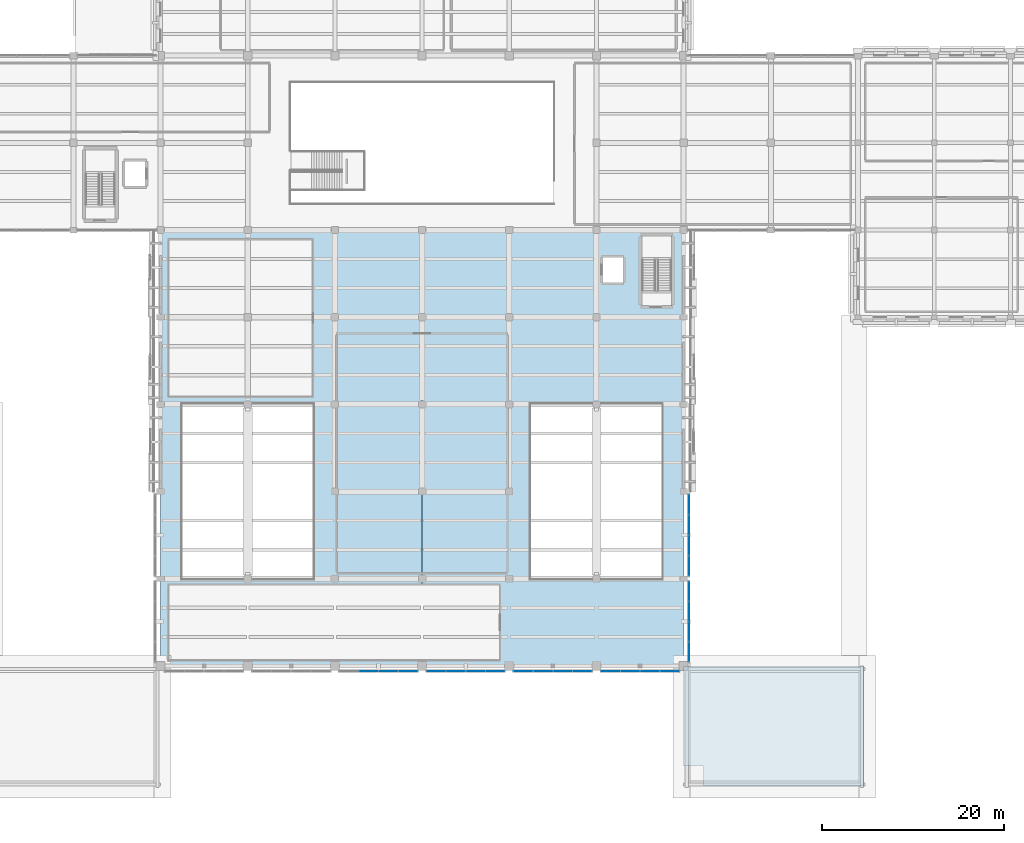
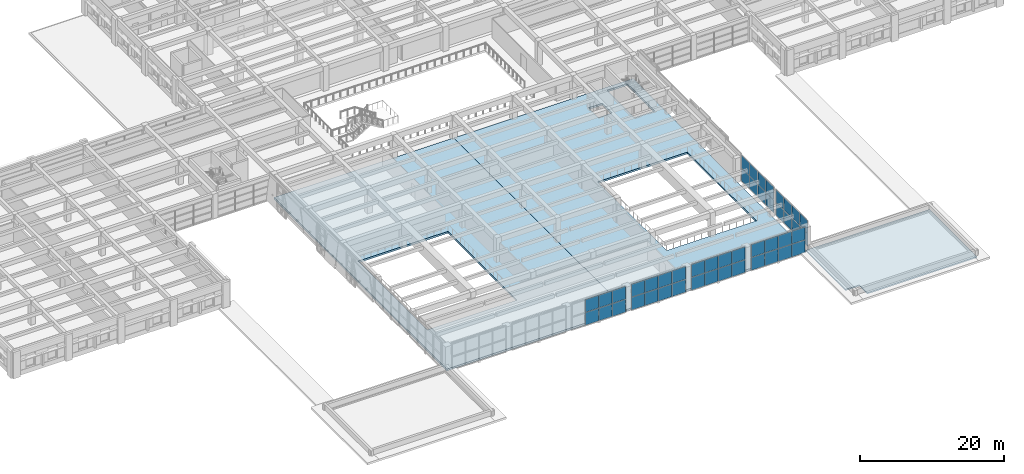
# One storey, part 26 of 49: 46 plates, 3 slabs, 6 elements without a shape of their own.
"""IFC4 building model written with IfcOpenShell, lengths in metres."""

from ifc_helpers import new_model, si_unit, direction, frame, origin, origin_2d, place, context, subcontext, project, spatial, polyline, rectangle, outline, extrude, material, layer, layer_set, type_object, element, aggregate, save


model = new_model("IFC4")

# Units and contexts
model_context = context("Model", 3, precision=1e-05, world=origin(), true_north=direction((0.0, 1.0)))
body_context = subcontext(model_context, "Body", "Model", "MODEL_VIEW")
ifc_project = project(units=[si_unit("LENGTHUNIT", "METRE"), si_unit("AREAUNIT", "SQUARE_METRE"), si_unit("VOLUMEUNIT", "CUBIC_METRE"), si_unit("PLANEANGLEUNIT", "RADIAN"), si_unit("MASSUNIT", "GRAM", prefix="KILO")], contexts=[model_context])

# Site, building, storey
site_placement = place(None, origin())
site = spatial("IfcSite", under=ifc_project, at=site_placement, CompositionType="ELEMENT")
building_placement = place(site_placement, origin())
building = spatial("IfcBuilding", under=site, at=building_placement, Name="Bempovik Park Faculty of Sciences", CompositionType="ELEMENT")
storey_placement = place(building_placement, frame((0.0, 0.0, 5.39990234375)))
storey = spatial("IfcBuildingStorey", under=building, at=storey_placement, Name="L01", CompositionType="ELEMENT", Elevation=5.39990234375)

# Curtain wall, plates
ifc_material_1 = material(Name="Tempered laminated low-E glass", Category="glass")
ifc_layer_1 = layer(ifc_material_1, 0.159912109375)
ifc_layer_set_1 = layer_set([ifc_layer_1], Name="Tempered laminated low-E glass")
curtain_wall_type = type_object("IfcCurtainWallType", Name="CW-48 Curtain 7200x4200", PredefinedType="USERDEFINED", material=ifc_layer_set_1)
curtain_wall_1_placement = place(storey_placement, origin())
curtain_wall_1 = element("IfcCurtainWall", 1, at=curtain_wall_1_placement, inside=storey, type_object=curtain_wall_type, Name="L01 Recessed Entrance Foyer Curtain Wall (19.8-29.4)", ObjectType="UNITISED CURTAIN WALL", PredefinedType="USERDEFINED")
ifc_layer_2 = layer(ifc_material_1, 0.0400390625)
ifc_layer_set_2 = layer_set([ifc_layer_2], Name="Tempered laminated low-E glass")
plate_type = type_object("IfcPlateType", Name="CP-15 Curtain Panel 40mm", PredefinedType="CURTAIN_PANEL", material=ifc_layer_set_2)
plate_1_placement = place(storey_placement, frame((118.179931640625, 21.368408203125, 0.1201171875), z_axis=(0.0, 0.0, 1.0), x_axis=(0.0, 1.0, 0.0)))
plate_1 = element("IfcPlate", 2, at=plate_1_placement, type_object=plate_type, Name="CW-FOY-L01-1176-198 Panel 0-0", PredefinedType="CURTAIN_PANEL", context=body_context, shape_type="SweptSolid", body=[
    extrude(rectangle(XDim=2.1328125, YDim=0.035888671875, at=origin_2d()), origin(), (0.0, 0.0, 1.0), 2.1298828125),
])
plate_2_placement = place(storey_placement, frame((118.179931640625, 21.368408203125, 2.330078125), z_axis=(0.0, 0.0, 1.0), x_axis=(0.0, 1.0, 0.0)))
plate_2 = element("IfcPlate", 3, at=plate_2_placement, type_object=plate_type, Name="CW-FOY-L01-1176-198 Panel 0-1", PredefinedType="CURTAIN_PANEL", context=body_context, shape_type="SweptSolid", body=[
    extrude(rectangle(XDim=2.1328125, YDim=0.035888671875, at=origin_2d()), origin(), (0.0, 0.0, 1.0), 2.1298828125),
])
plate_3_placement = place(storey_placement, frame((118.179931640625, 23.5810546875, 0.1201171875), z_axis=(0.0, 0.0, 1.0), x_axis=(0.0, 1.0, 0.0)))
plate_3 = element("IfcPlate", 4, at=plate_3_placement, type_object=plate_type, Name="CW-FOY-L01-1176-198 Panel 1-0", PredefinedType="CURTAIN_PANEL", context=body_context, shape_type="SweptSolid", body=[
    extrude(rectangle(XDim=2.1328125, YDim=0.035888671875, at=origin_2d()), origin(), (0.0, 0.0, 1.0), 2.1298828125),
])
plate_4_placement = place(storey_placement, frame((118.179931640625, 23.5810546875, 2.330078125), z_axis=(0.0, 0.0, 1.0), x_axis=(0.0, 1.0, 0.0)))
plate_4 = element("IfcPlate", 5, at=plate_4_placement, type_object=plate_type, Name="CW-FOY-L01-1176-198 Panel 1-1", PredefinedType="CURTAIN_PANEL", context=body_context, shape_type="SweptSolid", body=[
    extrude(rectangle(XDim=2.1328125, YDim=0.035888671875, at=origin_2d()), origin(), (0.0, 0.0, 1.0), 2.1298828125),
])
plate_5_placement = place(storey_placement, frame((118.179931640625, 25.7939453125, 0.1201171875), z_axis=(0.0, 0.0, 1.0), x_axis=(0.0, 1.0, 0.0)))
plate_5 = element("IfcPlate", 6, at=plate_5_placement, type_object=plate_type, Name="CW-FOY-L01-1176-198 Panel 2-0", PredefinedType="CURTAIN_PANEL", context=body_context, shape_type="SweptSolid", body=[
    extrude(rectangle(XDim=2.1328125, YDim=0.035888671875, at=origin_2d()), origin(), (0.0, 0.0, 1.0), 2.1298828125),
])
plate_6_placement = place(storey_placement, frame((118.179931640625, 25.7939453125, 2.330078125), z_axis=(0.0, 0.0, 1.0), x_axis=(0.0, 1.0, 0.0)))
plate_6 = element("IfcPlate", 7, at=plate_6_placement, type_object=plate_type, Name="CW-FOY-L01-1176-198 Panel 2-1", PredefinedType="CURTAIN_PANEL", context=body_context, shape_type="SweptSolid", body=[
    extrude(rectangle(XDim=2.1328125, YDim=0.035888671875, at=origin_2d()), origin(), (0.0, 0.0, 1.0), 2.1298828125),
])
plate_7_placement = place(storey_placement, frame((118.179931640625, 28.006591796875, 0.1201171875), z_axis=(0.0, 0.0, 1.0), x_axis=(0.0, 1.0, 0.0)))
plate_7 = element("IfcPlate", 8, at=plate_7_placement, type_object=plate_type, Name="CW-FOY-L01-1176-198 Panel 3-0", PredefinedType="CURTAIN_PANEL", context=body_context, shape_type="SweptSolid", body=[
    extrude(rectangle(XDim=2.1328125, YDim=0.035888671875, at=origin_2d()), origin(), (0.0, 0.0, 1.0), 2.1298828125),
])
plate_8_placement = place(storey_placement, frame((118.179931640625, 28.006591796875, 2.330078125), z_axis=(0.0, 0.0, 1.0), x_axis=(0.0, 1.0, 0.0)))
plate_8 = element("IfcPlate", 9, at=plate_8_placement, type_object=plate_type, Name="CW-FOY-L01-1176-198 Panel 3-1", PredefinedType="CURTAIN_PANEL", context=body_context, shape_type="SweptSolid", body=[
    extrude(rectangle(XDim=2.1328125, YDim=0.035888671875, at=origin_2d()), origin(), (0.0, 0.0, 1.0), 2.1298828125),
])
aggregate(curtain_wall_1, [plate_1, plate_2, plate_3, plate_4, plate_5, plate_6, plate_7, plate_8])

curtain_wall_2_placement = place(storey_placement, origin())
curtain_wall_2 = element("IfcCurtainWall", 10, at=curtain_wall_2_placement, inside=storey, type_object=curtain_wall_type, Name="L01 Recessed Entrance Foyer Curtain Wall (29.4-39.0)", ObjectType="UNITISED CURTAIN WALL", PredefinedType="USERDEFINED")
plate_9_placement = place(storey_placement, frame((118.179931640625, 30.815185546875, 0.1201171875), z_axis=(0.0, 0.0, 1.0), x_axis=(0.0, 1.0, 0.0)))
plate_9 = element("IfcPlate", 11, at=plate_9_placement, type_object=plate_type, Name="CW-FOY-L01-1176-294 Panel 0-0", PredefinedType="CURTAIN_PANEL", context=body_context, shape_type="SweptSolid", body=[
    extrude(rectangle(XDim=2.176513671875, YDim=0.035888671875, at=origin_2d()), origin(), (0.0, 0.0, 1.0), 2.1298828125),
])
plate_10_placement = place(storey_placement, frame((118.179931640625, 30.815185546875, 2.330078125), z_axis=(0.0, 0.0, 1.0), x_axis=(0.0, 1.0, 0.0)))
plate_10 = element("IfcPlate", 12, at=plate_10_placement, type_object=plate_type, Name="CW-FOY-L01-1176-294 Panel 0-1", PredefinedType="CURTAIN_PANEL", context=body_context, shape_type="SweptSolid", body=[
    extrude(rectangle(XDim=2.176513671875, YDim=0.035888671875, at=origin_2d()), origin(), (0.0, 0.0, 1.0), 2.1298828125),
])
plate_11_placement = place(storey_placement, frame((118.179931640625, 33.07177734375, 0.1201171875), z_axis=(0.0, 0.0, 1.0), x_axis=(0.0, 1.0, 0.0)))
plate_11 = element("IfcPlate", 13, at=plate_11_placement, type_object=plate_type, Name="CW-FOY-L01-1176-294 Panel 1-0", PredefinedType="CURTAIN_PANEL", context=body_context, shape_type="SweptSolid", body=[
    extrude(rectangle(XDim=2.176513671875, YDim=0.035888671875, at=origin_2d()), origin(), (0.0, 0.0, 1.0), 2.1298828125),
])
plate_12_placement = place(storey_placement, frame((118.179931640625, 33.07177734375, 2.330078125), z_axis=(0.0, 0.0, 1.0), x_axis=(0.0, 1.0, 0.0)))
plate_12 = element("IfcPlate", 14, at=plate_12_placement, type_object=plate_type, Name="CW-FOY-L01-1176-294 Panel 1-1", PredefinedType="CURTAIN_PANEL", context=body_context, shape_type="SweptSolid", body=[
    extrude(rectangle(XDim=2.176513671875, YDim=0.035888671875, at=origin_2d()), origin(), (0.0, 0.0, 1.0), 2.1298828125),
])
plate_13_placement = place(storey_placement, frame((118.179931640625, 35.328125, 0.1201171875), z_axis=(0.0, 0.0, 1.0), x_axis=(0.0, 1.0, 0.0)))
plate_13 = element("IfcPlate", 15, at=plate_13_placement, type_object=plate_type, Name="CW-FOY-L01-1176-294 Panel 2-0", PredefinedType="CURTAIN_PANEL", context=body_context, shape_type="SweptSolid", body=[
    extrude(rectangle(XDim=2.176513671875, YDim=0.035888671875, at=origin_2d()), origin(), (0.0, 0.0, 1.0), 2.1298828125),
])
plate_14_placement = place(storey_placement, frame((118.179931640625, 35.328125, 2.330078125), z_axis=(0.0, 0.0, 1.0), x_axis=(0.0, 1.0, 0.0)))
plate_14 = element("IfcPlate", 16, at=plate_14_placement, type_object=plate_type, Name="CW-FOY-L01-1176-294 Panel 2-1", PredefinedType="CURTAIN_PANEL", context=body_context, shape_type="SweptSolid", body=[
    extrude(rectangle(XDim=2.176513671875, YDim=0.035888671875, at=origin_2d()), origin(), (0.0, 0.0, 1.0), 2.1298828125),
])
plate_15_placement = place(storey_placement, frame((118.179931640625, 37.584716796875, 0.1201171875), z_axis=(0.0, 0.0, 1.0), x_axis=(0.0, 1.0, 0.0)))
plate_15 = element("IfcPlate", 17, at=plate_15_placement, type_object=plate_type, Name="CW-FOY-L01-1176-294 Panel 3-0", PredefinedType="CURTAIN_PANEL", context=body_context, shape_type="SweptSolid", body=[
    extrude(rectangle(XDim=2.176513671875, YDim=0.035888671875, at=origin_2d()), origin(), (0.0, 0.0, 1.0), 2.1298828125),
])
plate_16_placement = place(storey_placement, frame((118.179931640625, 37.584716796875, 2.330078125), z_axis=(0.0, 0.0, 1.0), x_axis=(0.0, 1.0, 0.0)))
plate_16 = element("IfcPlate", 18, at=plate_16_placement, type_object=plate_type, Name="CW-FOY-L01-1176-294 Panel 3-1", PredefinedType="CURTAIN_PANEL", context=body_context, shape_type="SweptSolid", body=[
    extrude(rectangle(XDim=2.176513671875, YDim=0.035888671875, at=origin_2d()), origin(), (0.0, 0.0, 1.0), 2.1298828125),
])
aggregate(curtain_wall_2, [plate_9, plate_10, plate_11, plate_12, plate_13, plate_14, plate_15, plate_16])

curtain_wall_3_placement = place(storey_placement, origin())
curtain_wall_3 = element("IfcCurtainWall", 19, at=curtain_wall_3_placement, inside=storey, type_object=curtain_wall_type, Name="L01 Recessed Entrance Foyer Curtain Wall (79.2-88.8)", ObjectType="UNITISED CURTAIN WALL", PredefinedType="USERDEFINED")
plate_17_placement = place(storey_placement, frame((82.91552734375, 19.219970703125, 0.1201171875), z_axis=(0.0, 0.0, 1.0), x_axis=(1.0, 0.0, 0.0)))
plate_17 = element("IfcPlate", 20, at=plate_17_placement, type_object=plate_type, Name="CW-FOY-L01-198-792 Panel 1-0", PredefinedType="CURTAIN_PANEL", context=body_context, shape_type="SweptSolid", body=[
    extrude(rectangle(XDim=2.089111328125, YDim=0.035888671875, at=origin_2d()), origin(), (0.0, 0.0, 1.0), 2.1298828125),
])
plate_18_placement = place(storey_placement, frame((82.91552734375, 19.219970703125, 2.330078125), z_axis=(0.0, 0.0, 1.0), x_axis=(1.0, 0.0, 0.0)))
plate_18 = element("IfcPlate", 21, at=plate_18_placement, type_object=plate_type, Name="CW-FOY-L01-198-792 Panel 1-1", PredefinedType="CURTAIN_PANEL", context=body_context, shape_type="SweptSolid", body=[
    extrude(rectangle(XDim=2.089111328125, YDim=0.035888671875, at=origin_2d()), origin(), (0.0, 0.0, 1.0), 2.1298828125),
])
plate_19_placement = place(storey_placement, frame((85.08447265625, 19.219970703125, 0.1201171875), z_axis=(0.0, 0.0, 1.0), x_axis=(1.0, 0.0, 0.0)))
plate_19 = element("IfcPlate", 22, at=plate_19_placement, type_object=plate_type, Name="CW-FOY-L01-198-792 Panel 2-0", PredefinedType="CURTAIN_PANEL", context=body_context, shape_type="SweptSolid", body=[
    extrude(rectangle(XDim=2.089111328125, YDim=0.035888671875, at=origin_2d()), origin(), (0.0, 0.0, 1.0), 2.1298828125),
])
plate_20_placement = place(storey_placement, frame((85.08447265625, 19.219970703125, 2.330078125), z_axis=(0.0, 0.0, 1.0), x_axis=(1.0, 0.0, 0.0)))
plate_20 = element("IfcPlate", 23, at=plate_20_placement, type_object=plate_type, Name="CW-FOY-L01-198-792 Panel 2-1", PredefinedType="CURTAIN_PANEL", context=body_context, shape_type="SweptSolid", body=[
    extrude(rectangle(XDim=2.089111328125, YDim=0.035888671875, at=origin_2d()), origin(), (0.0, 0.0, 1.0), 2.1298828125),
])
plate_21_placement = place(storey_placement, frame((87.25341796875, 19.219970703125, 0.1201171875), z_axis=(0.0, 0.0, 1.0), x_axis=(1.0, 0.0, 0.0)))
plate_21 = element("IfcPlate", 24, at=plate_21_placement, type_object=plate_type, Name="CW-FOY-L01-198-792 Panel 3-0", PredefinedType="CURTAIN_PANEL", context=body_context, shape_type="SweptSolid", body=[
    extrude(rectangle(XDim=2.089111328125, YDim=0.035888671875, at=origin_2d()), origin(), (0.0, 0.0, 1.0), 2.1298828125),
])
plate_22_placement = place(storey_placement, frame((87.25341796875, 19.219970703125, 2.330078125), z_axis=(0.0, 0.0, 1.0), x_axis=(1.0, 0.0, 0.0)))
plate_22 = element("IfcPlate", 25, at=plate_22_placement, type_object=plate_type, Name="CW-FOY-L01-198-792 Panel 3-1", PredefinedType="CURTAIN_PANEL", context=body_context, shape_type="SweptSolid", body=[
    extrude(rectangle(XDim=2.089111328125, YDim=0.035888671875, at=origin_2d()), origin(), (0.0, 0.0, 1.0), 2.1298828125),
])
aggregate(curtain_wall_3, [plate_17, plate_18, plate_19, plate_20, plate_21, plate_22])

curtain_wall_4_placement = place(storey_placement, origin())
curtain_wall_4 = element("IfcCurtainWall", 26, at=curtain_wall_4_placement, inside=storey, type_object=curtain_wall_type, Name="L01 Recessed Entrance Foyer Curtain Wall (88.8-98.4)", ObjectType="UNITISED CURTAIN WALL", PredefinedType="USERDEFINED")
plate_23_placement = place(storey_placement, frame((90.346435546875, 19.219970703125, 0.1201171875), z_axis=(0.0, 0.0, 1.0), x_axis=(1.0, 0.0, 0.0)))
plate_23 = element("IfcPlate", 27, at=plate_23_placement, type_object=plate_type, Name="CW-FOY-L01-198-888 Panel 0-0", PredefinedType="CURTAIN_PANEL", context=body_context, shape_type="SweptSolid", body=[
    extrude(rectangle(XDim=2.089111328125, YDim=0.035888671875, at=origin_2d()), origin(), (0.0, 0.0, 1.0), 2.1298828125),
])
plate_24_placement = place(storey_placement, frame((90.346435546875, 19.219970703125, 2.330078125), z_axis=(0.0, 0.0, 1.0), x_axis=(1.0, 0.0, 0.0)))
plate_24 = element("IfcPlate", 28, at=plate_24_placement, type_object=plate_type, Name="CW-FOY-L01-198-888 Panel 0-1", PredefinedType="CURTAIN_PANEL", context=body_context, shape_type="SweptSolid", body=[
    extrude(rectangle(XDim=2.089111328125, YDim=0.035888671875, at=origin_2d()), origin(), (0.0, 0.0, 1.0), 2.1298828125),
])
plate_25_placement = place(storey_placement, frame((92.515380859375, 19.219970703125, 0.1201171875), z_axis=(0.0, 0.0, 1.0), x_axis=(1.0, 0.0, 0.0)))
plate_25 = element("IfcPlate", 29, at=plate_25_placement, type_object=plate_type, Name="CW-FOY-L01-198-888 Panel 1-0", PredefinedType="CURTAIN_PANEL", context=body_context, shape_type="SweptSolid", body=[
    extrude(rectangle(XDim=2.089111328125, YDim=0.035888671875, at=origin_2d()), origin(), (0.0, 0.0, 1.0), 2.1298828125),
])
plate_26_placement = place(storey_placement, frame((92.515380859375, 19.219970703125, 2.330078125), z_axis=(0.0, 0.0, 1.0), x_axis=(1.0, 0.0, 0.0)))
plate_26 = element("IfcPlate", 30, at=plate_26_placement, type_object=plate_type, Name="CW-FOY-L01-198-888 Panel 1-1", PredefinedType="CURTAIN_PANEL", context=body_context, shape_type="SweptSolid", body=[
    extrude(rectangle(XDim=2.089111328125, YDim=0.035888671875, at=origin_2d()), origin(), (0.0, 0.0, 1.0), 2.1298828125),
])
plate_27_placement = place(storey_placement, frame((94.6845703125, 19.219970703125, 0.1201171875), z_axis=(0.0, 0.0, 1.0), x_axis=(1.0, 0.0, 0.0)))
plate_27 = element("IfcPlate", 31, at=plate_27_placement, type_object=plate_type, Name="CW-FOY-L01-198-888 Panel 2-0", PredefinedType="CURTAIN_PANEL", context=body_context, shape_type="SweptSolid", body=[
    extrude(rectangle(XDim=2.089111328125, YDim=0.035888671875, at=origin_2d()), origin(), (0.0, 0.0, 1.0), 2.1298828125),
])
plate_28_placement = place(storey_placement, frame((94.6845703125, 19.219970703125, 2.330078125), z_axis=(0.0, 0.0, 1.0), x_axis=(1.0, 0.0, 0.0)))
plate_28 = element("IfcPlate", 32, at=plate_28_placement, type_object=plate_type, Name="CW-FOY-L01-198-888 Panel 2-1", PredefinedType="CURTAIN_PANEL", context=body_context, shape_type="SweptSolid", body=[
    extrude(rectangle(XDim=2.089111328125, YDim=0.035888671875, at=origin_2d()), origin(), (0.0, 0.0, 1.0), 2.1298828125),
])
plate_29_placement = place(storey_placement, frame((96.853515625, 19.219970703125, 0.1201171875), z_axis=(0.0, 0.0, 1.0), x_axis=(1.0, 0.0, 0.0)))
plate_29 = element("IfcPlate", 33, at=plate_29_placement, type_object=plate_type, Name="CW-FOY-L01-198-888 Panel 3-0", PredefinedType="CURTAIN_PANEL", context=body_context, shape_type="SweptSolid", body=[
    extrude(rectangle(XDim=2.089111328125, YDim=0.035888671875, at=origin_2d()), origin(), (0.0, 0.0, 1.0), 2.1298828125),
])
plate_30_placement = place(storey_placement, frame((96.853515625, 19.219970703125, 2.330078125), z_axis=(0.0, 0.0, 1.0), x_axis=(1.0, 0.0, 0.0)))
plate_30 = element("IfcPlate", 34, at=plate_30_placement, type_object=plate_type, Name="CW-FOY-L01-198-888 Panel 3-1", PredefinedType="CURTAIN_PANEL", context=body_context, shape_type="SweptSolid", body=[
    extrude(rectangle(XDim=2.089111328125, YDim=0.035888671875, at=origin_2d()), origin(), (0.0, 0.0, 1.0), 2.1298828125),
])
aggregate(curtain_wall_4, [plate_23, plate_24, plate_25, plate_26, plate_27, plate_28, plate_29, plate_30])

curtain_wall_5_placement = place(storey_placement, origin())
curtain_wall_5 = element("IfcCurtainWall", 35, at=curtain_wall_5_placement, inside=storey, type_object=curtain_wall_type, Name="L01 Recessed Entrance Foyer Curtain Wall (98.4-108.0)", ObjectType="UNITISED CURTAIN WALL", PredefinedType="USERDEFINED")
plate_31_placement = place(storey_placement, frame((99.946533203125, 19.219970703125, 0.1201171875), z_axis=(0.0, 0.0, 1.0), x_axis=(1.0, 0.0, 0.0)))
plate_31 = element("IfcPlate", 36, at=plate_31_placement, type_object=plate_type, Name="CW-FOY-L01-198-984 Panel 0-0", PredefinedType="CURTAIN_PANEL", context=body_context, shape_type="SweptSolid", body=[
    extrude(rectangle(XDim=2.089111328125, YDim=0.035888671875, at=origin_2d()), origin(), (0.0, 0.0, 1.0), 2.1298828125),
])
plate_32_placement = place(storey_placement, frame((99.946533203125, 19.219970703125, 2.330078125), z_axis=(0.0, 0.0, 1.0), x_axis=(1.0, 0.0, 0.0)))
plate_32 = element("IfcPlate", 37, at=plate_32_placement, type_object=plate_type, Name="CW-FOY-L01-198-984 Panel 0-1", PredefinedType="CURTAIN_PANEL", context=body_context, shape_type="SweptSolid", body=[
    extrude(rectangle(XDim=2.089111328125, YDim=0.035888671875, at=origin_2d()), origin(), (0.0, 0.0, 1.0), 2.1298828125),
])
plate_33_placement = place(storey_placement, frame((102.115478515625, 19.219970703125, 0.1201171875), z_axis=(0.0, 0.0, 1.0), x_axis=(1.0, 0.0, 0.0)))
plate_33 = element("IfcPlate", 38, at=plate_33_placement, type_object=plate_type, Name="CW-FOY-L01-198-984 Panel 1-0", PredefinedType="CURTAIN_PANEL", context=body_context, shape_type="SweptSolid", body=[
    extrude(rectangle(XDim=2.089111328125, YDim=0.035888671875, at=origin_2d()), origin(), (0.0, 0.0, 1.0), 2.1298828125),
])
plate_34_placement = place(storey_placement, frame((102.115478515625, 19.219970703125, 2.330078125), z_axis=(0.0, 0.0, 1.0), x_axis=(1.0, 0.0, 0.0)))
plate_34 = element("IfcPlate", 39, at=plate_34_placement, type_object=plate_type, Name="CW-FOY-L01-198-984 Panel 1-1", PredefinedType="CURTAIN_PANEL", context=body_context, shape_type="SweptSolid", body=[
    extrude(rectangle(XDim=2.089111328125, YDim=0.035888671875, at=origin_2d()), origin(), (0.0, 0.0, 1.0), 2.1298828125),
])
plate_35_placement = place(storey_placement, frame((104.284423828125, 19.219970703125, 0.1201171875), z_axis=(0.0, 0.0, 1.0), x_axis=(1.0, 0.0, 0.0)))
plate_35 = element("IfcPlate", 40, at=plate_35_placement, type_object=plate_type, Name="CW-FOY-L01-198-984 Panel 2-0", PredefinedType="CURTAIN_PANEL", context=body_context, shape_type="SweptSolid", body=[
    extrude(rectangle(XDim=2.089111328125, YDim=0.035888671875, at=origin_2d()), origin(), (0.0, 0.0, 1.0), 2.1298828125),
])
plate_36_placement = place(storey_placement, frame((104.284423828125, 19.219970703125, 2.330078125), z_axis=(0.0, 0.0, 1.0), x_axis=(1.0, 0.0, 0.0)))
plate_36 = element("IfcPlate", 41, at=plate_36_placement, type_object=plate_type, Name="CW-FOY-L01-198-984 Panel 2-1", PredefinedType="CURTAIN_PANEL", context=body_context, shape_type="SweptSolid", body=[
    extrude(rectangle(XDim=2.089111328125, YDim=0.035888671875, at=origin_2d()), origin(), (0.0, 0.0, 1.0), 2.1298828125),
])
plate_37_placement = place(storey_placement, frame((106.45361328125, 19.219970703125, 0.1201171875), z_axis=(0.0, 0.0, 1.0), x_axis=(1.0, 0.0, 0.0)))
plate_37 = element("IfcPlate", 42, at=plate_37_placement, type_object=plate_type, Name="CW-FOY-L01-198-984 Panel 3-0", PredefinedType="CURTAIN_PANEL", context=body_context, shape_type="SweptSolid", body=[
    extrude(rectangle(XDim=2.089111328125, YDim=0.035888671875, at=origin_2d()), origin(), (0.0, 0.0, 1.0), 2.1298828125),
])
plate_38_placement = place(storey_placement, frame((106.45361328125, 19.219970703125, 2.330078125), z_axis=(0.0, 0.0, 1.0), x_axis=(1.0, 0.0, 0.0)))
plate_38 = element("IfcPlate", 43, at=plate_38_placement, type_object=plate_type, Name="CW-FOY-L01-198-984 Panel 3-1", PredefinedType="CURTAIN_PANEL", context=body_context, shape_type="SweptSolid", body=[
    extrude(rectangle(XDim=2.089111328125, YDim=0.035888671875, at=origin_2d()), origin(), (0.0, 0.0, 1.0), 2.1298828125),
])
aggregate(curtain_wall_5, [plate_31, plate_32, plate_33, plate_34, plate_35, plate_36, plate_37, plate_38])

curtain_wall_6_placement = place(storey_placement, origin())
curtain_wall_6 = element("IfcCurtainWall", 44, at=curtain_wall_6_placement, inside=storey, type_object=curtain_wall_type, Name="L01 Recessed Entrance Foyer Curtain Wall (108.0-117.6)", ObjectType="UNITISED CURTAIN WALL", PredefinedType="USERDEFINED")
plate_39_placement = place(storey_placement, frame((109.54638671875, 19.219970703125, 0.1201171875), z_axis=(0.0, 0.0, 1.0), x_axis=(1.0, 0.0, 0.0)))
plate_39 = element("IfcPlate", 45, at=plate_39_placement, type_object=plate_type, Name="CW-FOY-L01-198-1080 Panel 0-0", PredefinedType="CURTAIN_PANEL", context=body_context, shape_type="SweptSolid", body=[
    extrude(rectangle(XDim=2.089111328125, YDim=0.035888671875, at=origin_2d()), origin(), (0.0, 0.0, 1.0), 2.1298828125),
])
plate_40_placement = place(storey_placement, frame((109.54638671875, 19.219970703125, 2.330078125), z_axis=(0.0, 0.0, 1.0), x_axis=(1.0, 0.0, 0.0)))
plate_40 = element("IfcPlate", 46, at=plate_40_placement, type_object=plate_type, Name="CW-FOY-L01-198-1080 Panel 0-1", PredefinedType="CURTAIN_PANEL", context=body_context, shape_type="SweptSolid", body=[
    extrude(rectangle(XDim=2.089111328125, YDim=0.035888671875, at=origin_2d()), origin(), (0.0, 0.0, 1.0), 2.1298828125),
])
plate_41_placement = place(storey_placement, frame((111.715576171875, 19.219970703125, 0.1201171875), z_axis=(0.0, 0.0, 1.0), x_axis=(1.0, 0.0, 0.0)))
plate_41 = element("IfcPlate", 47, at=plate_41_placement, type_object=plate_type, Name="CW-FOY-L01-198-1080 Panel 1-0", PredefinedType="CURTAIN_PANEL", context=body_context, shape_type="SweptSolid", body=[
    extrude(rectangle(XDim=2.089111328125, YDim=0.035888671875, at=origin_2d()), origin(), (0.0, 0.0, 1.0), 2.1298828125),
])
plate_42_placement = place(storey_placement, frame((111.715576171875, 19.219970703125, 2.330078125), z_axis=(0.0, 0.0, 1.0), x_axis=(1.0, 0.0, 0.0)))
plate_42 = element("IfcPlate", 48, at=plate_42_placement, type_object=plate_type, Name="CW-FOY-L01-198-1080 Panel 1-1", PredefinedType="CURTAIN_PANEL", context=body_context, shape_type="SweptSolid", body=[
    extrude(rectangle(XDim=2.089111328125, YDim=0.035888671875, at=origin_2d()), origin(), (0.0, 0.0, 1.0), 2.1298828125),
])
plate_43_placement = place(storey_placement, frame((113.884521484375, 19.219970703125, 0.1201171875), z_axis=(0.0, 0.0, 1.0), x_axis=(1.0, 0.0, 0.0)))
plate_43 = element("IfcPlate", 49, at=plate_43_placement, type_object=plate_type, Name="CW-FOY-L01-198-1080 Panel 2-0", PredefinedType="CURTAIN_PANEL", context=body_context, shape_type="SweptSolid", body=[
    extrude(rectangle(XDim=2.089111328125, YDim=0.035888671875, at=origin_2d()), origin(), (0.0, 0.0, 1.0), 2.1298828125),
])
plate_44_placement = place(storey_placement, frame((113.884521484375, 19.219970703125, 2.330078125), z_axis=(0.0, 0.0, 1.0), x_axis=(1.0, 0.0, 0.0)))
plate_44 = element("IfcPlate", 50, at=plate_44_placement, type_object=plate_type, Name="CW-FOY-L01-198-1080 Panel 2-1", PredefinedType="CURTAIN_PANEL", context=body_context, shape_type="SweptSolid", body=[
    extrude(rectangle(XDim=2.089111328125, YDim=0.035888671875, at=origin_2d()), origin(), (0.0, 0.0, 1.0), 2.1298828125),
])
plate_45_placement = place(storey_placement, frame((116.053466796875, 19.219970703125, 0.1201171875), z_axis=(0.0, 0.0, 1.0), x_axis=(1.0, 0.0, 0.0)))
plate_45 = element("IfcPlate", 51, at=plate_45_placement, type_object=plate_type, Name="CW-FOY-L01-198-1080 Panel 3-0", PredefinedType="CURTAIN_PANEL", context=body_context, shape_type="SweptSolid", body=[
    extrude(rectangle(XDim=2.089111328125, YDim=0.035888671875, at=origin_2d()), origin(), (0.0, 0.0, 1.0), 2.1298828125),
])
plate_46_placement = place(storey_placement, frame((116.053466796875, 19.219970703125, 2.330078125), z_axis=(0.0, 0.0, 1.0), x_axis=(1.0, 0.0, 0.0)))
plate_46 = element("IfcPlate", 52, at=plate_46_placement, type_object=plate_type, Name="CW-FOY-L01-198-1080 Panel 3-1", PredefinedType="CURTAIN_PANEL", context=body_context, shape_type="SweptSolid", body=[
    extrude(rectangle(XDim=2.089111328125, YDim=0.035888671875, at=origin_2d()), origin(), (0.0, 0.0, 1.0), 2.1298828125),
])
aggregate(curtain_wall_6, [plate_39, plate_40, plate_41, plate_42, plate_43, plate_44, plate_45, plate_46])

# Slabs
ifc_material_2 = material(Name="Concrete C40/50", Category="concrete")
ifc_layer_3 = layer(ifc_material_2, 0.320068359375)
ifc_layer_set_3 = layer_set([ifc_layer_3], Name="Concrete C40/50")
slab_type_1 = type_object("IfcSlabType", Name="S-35 Slab 320mm", PredefinedType="FLOOR", material=ifc_layer_set_3)
slab_1_placement = place(storey_placement, frame((0.0, 0.0, -0.31982421875)))
element("IfcSlab", 53, at=slab_1_placement, inside=storey, type_object=slab_type_1, Name="L01 Crystal Lecture Mass Floor Slab (W)", PredefinedType="FLOOR", context=body_context, shape_type="SweptSolid", body=[
    extrude(outline(polyline([(60.0, 19.800048828125), (88.800048828125, 19.800048828125), (88.800048828125, 67.800048828125), (60.0, 67.800048828125), (60.0, 19.800048828125)]), holes=[polyline([(62.39990234375, 29.39990234375), (76.800048828125, 29.39990234375), (76.800048828125, 48.60009765625), (62.39990234375, 48.60009765625), (62.39990234375, 29.39990234375)])]), origin(), (0.0, 0.0, 1.0), 0.31982421875),
])
slab_2_placement = place(storey_placement, frame((0.0, 0.0, -0.31982421875)))
element("IfcSlab", 54, at=slab_2_placement, inside=storey, type_object=slab_type_1, Name="L01 Crystal Lecture Mass Floor Slab (E)", PredefinedType="FLOOR", context=body_context, shape_type="SweptSolid", body=[
    extrude(outline(polyline([(88.800048828125, 19.800048828125), (117.60009765625, 19.800048828125), (117.60009765625, 67.800048828125), (88.800048828125, 67.800048828125), (88.800048828125, 19.800048828125)]), holes=[polyline([(113.0, 59.5), (116.25, 59.5), (116.25, 67.125), (113.0, 67.125), (113.0, 59.5)]), polyline([(108.699951171875, 62.050048828125), (110.89990234375, 62.050048828125), (110.89990234375, 64.75), (108.699951171875, 64.75), (108.699951171875, 62.050048828125)]), polyline([(100.800048828125, 29.39990234375), (115.199951171875, 29.39990234375), (115.199951171875, 48.60009765625), (100.800048828125, 48.60009765625), (100.800048828125, 29.39990234375)])]), origin(), (0.0, 0.0, 1.0), 0.31982421875),
])
ifc_material_3 = material(Name="Concrete C35/45", Category="concrete")
ifc_layer_4 = layer(ifc_material_3, 0.219970703125)
ifc_layer_set_4 = layer_set([ifc_layer_4], Name="Concrete C35/45")
slab_type_2 = type_object("IfcSlabType", Name="S-38 Slab 220mm", PredefinedType="ROOF", material=ifc_layer_set_4)
slab_3_placement = place(storey_placement, frame((0.0, 0.0, -0.219970703125)))
element("IfcSlab", 55, at=slab_3_placement, inside=storey, type_object=slab_type_2, Name="Flat Concrete Roof Slab RF-COL-E", PredefinedType="ROOF", context=body_context, shape_type="SweptSolid", body=[
    extrude(outline(polyline([(119.800048828125, 6.60009765625), (137.39990234375, 6.60009765625), (137.39990234375, 19.800048828125), (117.60009765625, 19.800048828125), (117.60009765625, 8.800048828125), (119.800048828125, 8.800048828125), (119.800048828125, 6.60009765625)])), origin(), (0.0, 0.0, 1.0), 0.219970703125),
])

save(model, "model.ifc")
